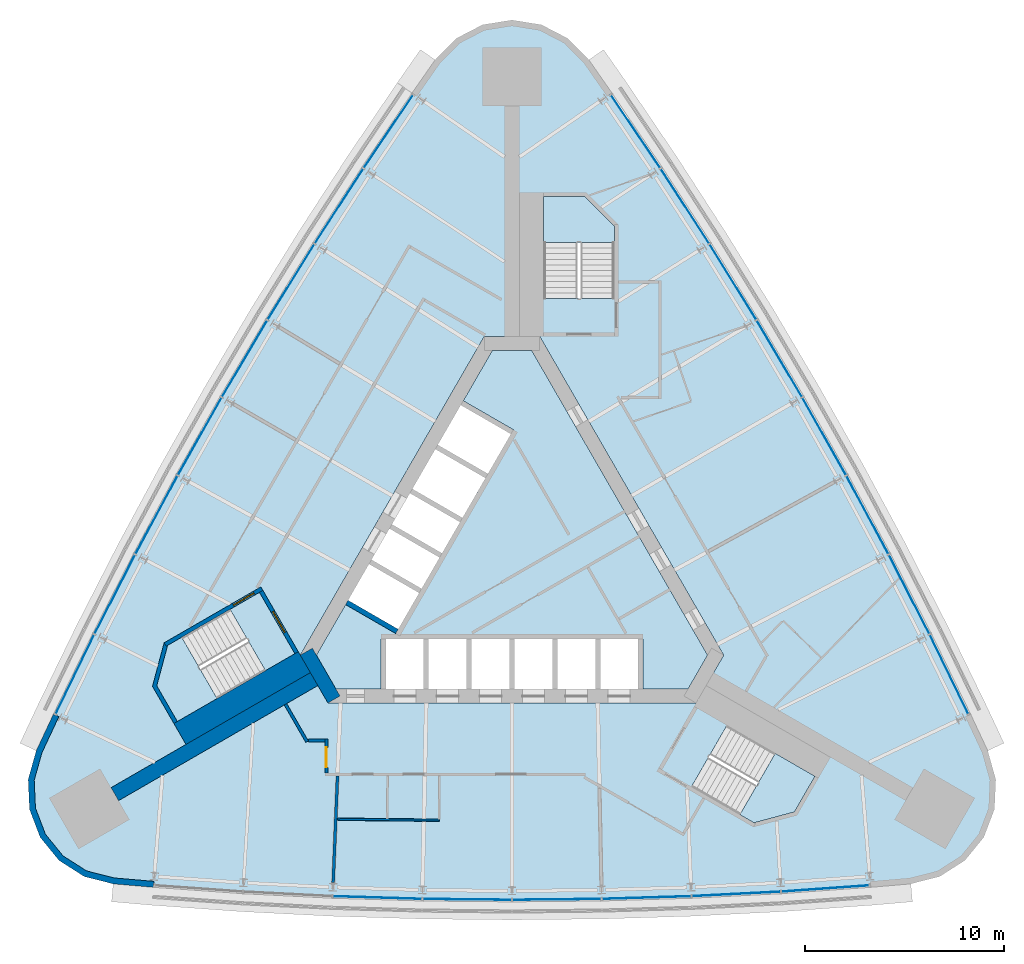
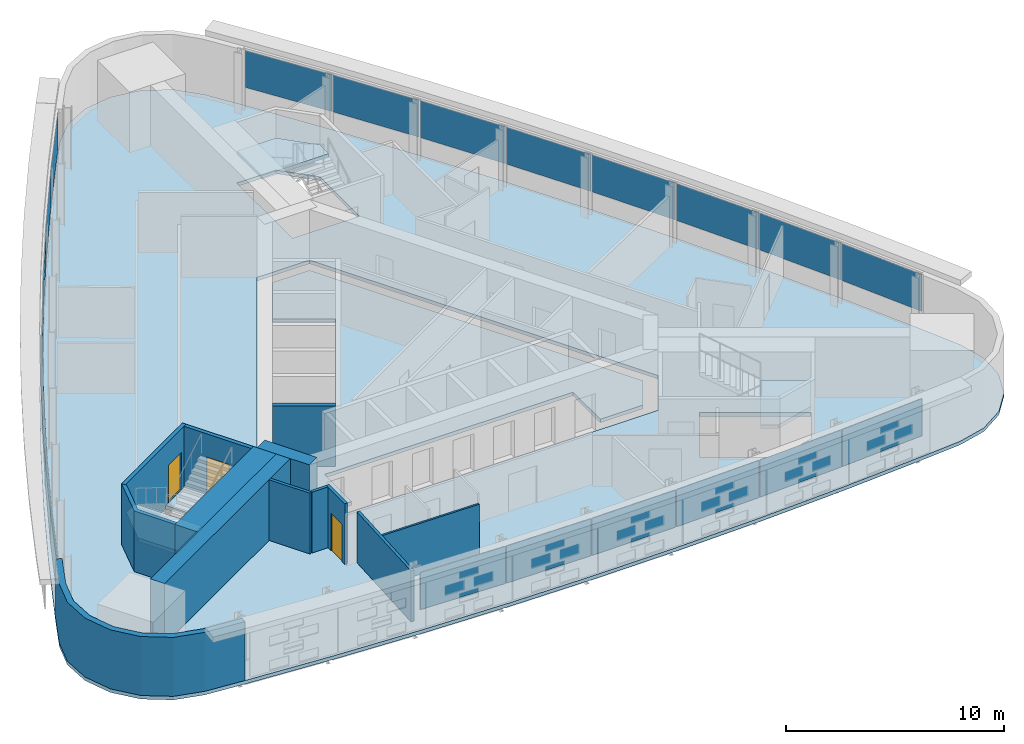
# One storey, part 6 of 11: 22 plates, 13 walls, 5 slabs, 3 doors, 3 openings, 6 elements without a shape of their own.
"""IFC4 building model written with IfcOpenShell, lengths in metres."""

from ifc_helpers import new_model, si_unit, direction, frame, frame_2d, origin, origin_2d, place, context, subcontext, project, spatial, polyline, rectangle, outline, extrude, material, layer, layer_set, type_object, element, fill, aggregate, save


model = new_model("IFC4")

# Units and contexts
model_context = context("Model", 3, precision=1e-05, world=origin(), true_north=direction((0.0, 1.0)))
body_context = subcontext(model_context, "Body", "Model", "MODEL_VIEW")
ifc_project = project(units=[si_unit("LENGTHUNIT", "METRE"), si_unit("AREAUNIT", "SQUARE_METRE"), si_unit("VOLUMEUNIT", "CUBIC_METRE"), si_unit("PLANEANGLEUNIT", "RADIAN"), si_unit("MASSUNIT", "GRAM", prefix="KILO")], contexts=[model_context])

# Site, building, storey
site_placement = place(None, origin())
site = spatial("IfcSite", under=ifc_project, at=site_placement, CompositionType="ELEMENT")
building_placement = place(site_placement, origin())
building = spatial("IfcBuilding", under=site, at=building_placement, Name="Noor Cloister Tower", CompositionType="ELEMENT")
storey_placement = place(building_placement, frame((0.0, 0.0, 120.300048828125)))
storey = spatial("IfcBuildingStorey", under=building, at=storey_placement, Name="L31", CompositionType="ELEMENT", Elevation=120.300048828125)

# Slabs
ifc_material_1 = material(Name="Concrete C40/50", Category="concrete")
ifc_layer_1 = layer(ifc_material_1, 0.199951171875)
ifc_layer_set_1 = layer_set([ifc_layer_1], Name="Core floor slab 200 C40/50")
slab_type_1 = type_object("IfcSlabType", Name="Core floor slab 200 C40/50", PredefinedType="FLOOR", material=ifc_layer_set_1)
slab_1_placement = place(storey_placement, frame((0.0, 0.0, -0.199951171875)))
element("IfcSlab", 1, at=slab_1_placement, inside=storey, type_object=slab_type_1, Name="Core floor L31", PredefinedType="FLOOR", context=body_context, shape_type="SweptSolid", body=[
    extrude(outline(polyline([(-6.574951171875, -6.228271484375), (-6.574951171875, -3.728271484375), (6.574951171875, -3.728271484375), (6.574951171875, -6.228271484375), (8.82470703125, -6.228271484375), (9.80615234375, -4.5283203125), (0.9814453125, 10.75634765625), (-0.9814453125, 10.75634765625), (-2.44384765625, 8.2236328125), (0.067626953125, 6.773681640625), (-5.832275390625, -3.4453125), (-8.34375, -1.995361328125), (-9.80615234375, -4.5283203125), (-8.82470703125, -6.228271484375), (-6.574951171875, -6.228271484375)])), origin(), (0.0, 0.0, 1.0), 0.199951171875),
])
ifc_material_2 = material(Name="Concrete C40/50", Category="concrete")
ifc_layer_2 = layer(ifc_material_2, 0.199951171875)
ifc_layer_set_2 = layer_set([ifc_layer_2], Name="Floor slab 200 C40/50")
slab_type_2 = type_object("IfcSlabType", Name="Floor slab 200 C40/50", PredefinedType="FLOOR", material=ifc_layer_set_2)
slab_2_placement = place(storey_placement, frame((0.0, 0.0, -0.199951171875)))
element("IfcSlab", 2, at=slab_2_placement, inside=storey, type_object=slab_type_2, Name="Floor slab L31", PredefinedType="FLOOR", context=body_context, shape_type="SweptSolid", body=[
    extrude(outline(polyline([(3.853271484375, 25.31689453125), (2.807373046875, 26.38818359375), (1.478271484375, 27.07763671875), (0.0, 27.3154296875), (-1.478271484375, 27.07763671875), (-2.807373046875, 26.38818359375), (-3.853271484375, 25.31689453125), (-5.0126953125, 23.65576171875), (-7.533447265625, 19.92822265625), (-9.978271484375, 16.150390625), (-12.345703125, 12.323486328125), (-14.635009765625, 8.449462890625), (-16.845458984375, 4.52978515625), (-18.9755859375, 0.566162109375), (-21.025146484375, -3.43994140625), (-22.992919921875, -7.48681640625), (-23.851806640625, -9.321533203125), (-24.256591796875, -10.762939453125), (-24.18896484375, -12.258544921875), (-23.65576171875, -13.65771484375), (-22.710693359375, -14.81884765625), (-21.44921875, -15.625244140625), (-19.99853515625, -15.995361328125), (-17.980224609375, -16.1689453125), (-13.49169921875, -16.48828125), (-8.99755859375, -16.716552734375), (-4.499755859375, -16.853515625), (0.0, -16.899169921875), (4.499755859375, -16.853515625), (8.99755859375, -16.716552734375), (13.49169921875, -16.48828125), (17.980224609375, -16.1689453125), (19.99853515625, -15.995361328125), (21.44921875, -15.625244140625), (22.710693359375, -14.81884765625), (23.65576171875, -13.65771484375), (24.18896484375, -12.258544921875), (24.256591796875, -10.762939453125), (23.851806640625, -9.321533203125), (22.992919921875, -7.48681640625), (21.025146484375, -3.43994140625), (18.9755859375, 0.566162109375), (16.845458984375, 4.52978515625), (14.635009765625, 8.449462890625), (12.345703125, 12.323486328125), (9.978271484375, 16.150390625), (7.533447265625, 19.92822265625), (5.0126953125, 23.65576171875), (3.853271484375, 25.31689453125)]), holes=[polyline([(8.999755859375, -11.126220703125), (12.131591796875, -12.934326171875), (14.1572265625, -12.3916015625), (15.19091796875, -10.601318359375), (10.774658203125, -8.0517578125), (8.999755859375, -11.126220703125)]), polyline([(-17.81005859375, -6.064697265625), (-16.776611328125, -7.85498046875), (-12.3603515625, -5.305419921875), (-14.13525390625, -2.23095703125), (-16.662841796875, -3.690185546875), (-17.267333984375, -4.039306640625), (-17.81005859375, -6.064697265625)]), polyline([(-10.6142578125, -4.5283203125), (-9.228759765625, -6.92822265625), (9.228759765625, -6.92822265625), (10.6142578125, -4.5283203125), (1.3857421875, 11.456298828125), (-1.3857421875, 11.456298828125), (-10.6142578125, -4.5283203125)]), polyline([(3.65283203125, 18.456298828125), (1.585693359375, 18.456298828125), (1.585693359375, 13.35693359375), (5.135498046875, 13.35693359375), (5.135498046875, 16.9736328125), (3.65283203125, 18.456298828125)])]), origin(), (0.0, 0.0, 1.0), 0.199951171875),
])

# Curtain wall, plates
ifc_material_3 = material(Name="Aluminium 6063-T6 anodised", Category="aluminium")
curtain_wall_type = type_object("IfcCurtainWallType", Name="Ribbon curtain wall, lower tower CW1", PredefinedType="NOTDEFINED", material=ifc_material_3)
curtain_wall_1_placement = place(storey_placement, origin())
curtain_wall_1 = element("IfcCurtainWall", 3, at=curtain_wall_1_placement, inside=storey, type_object=curtain_wall_type, Name="CW1 L31 NW run 1", PredefinedType="NOTDEFINED")
ifc_material_4 = material(Name="Clear laminated glass 2 x 8 mm", Category="glass")
ifc_layer_3 = layer(ifc_material_4, 0.028076171875)
ifc_layer_set_3 = layer_set([ifc_layer_3], Name="Glass panel CW1")
plate_type = type_object("IfcPlateType", Name="Glass panel CW1", PredefinedType="CURTAIN_PANEL", material=ifc_layer_set_3)
plate_1_placement = place(storey_placement, frame((-6.201171875, 21.719970703125, 1.08984375), z_axis=(0.0, 0.0, 1.0), x_axis=(-0.560202787374, -0.828355501592, 0.0)))
plate_1 = element("IfcPlate", 4, at=plate_1_placement, type_object=plate_type, Name="CW1 glass panel 1", PredefinedType="CURTAIN_PANEL", context=body_context, shape_type="SweptSolid", body=[
    extrude(rectangle(XDim=4.39892578125, YDim=0.028076171875, at=origin_2d()), origin(), (0.0, 0.0, 1.0), 2.070068359375),
])
plate_2_placement = place(storey_placement, frame((-8.671875, 17.985107421875, 1.08984375), z_axis=(0.0, 0.0, 1.0), x_axis=(-0.543277273915, -0.839553335797, 0.0)))
plate_2 = element("IfcPlate", 5, at=plate_2_placement, type_object=plate_type, Name="CW1 glass panel 2", PredefinedType="CURTAIN_PANEL", context=body_context, shape_type="SweptSolid", body=[
    extrude(rectangle(XDim=4.43798828125, YDim=0.028076171875, at=origin_2d()), origin(), (0.0, 0.0, 1.0), 2.070068359375),
])
plate_3_placement = place(storey_placement, frame((-11.076904296875, 14.184326171875, 1.08984375), z_axis=(0.0, 0.0, 1.0), x_axis=(-0.526127988992, -0.850405396972, 0.0)))
plate_3 = element("IfcPlate", 6, at=plate_3_placement, type_object=plate_type, Name="CW1 glass panel 3", PredefinedType="CURTAIN_PANEL", context=body_context, shape_type="SweptSolid", body=[
    extrude(rectangle(XDim=4.43798828125, YDim=0.028076171875, at=origin_2d()), origin(), (0.0, 0.0, 1.0), 2.070068359375),
])
plate_4_placement = place(storey_placement, frame((-13.404296875, 10.335693359375, 1.08984375), z_axis=(0.0, 0.0, 1.0), x_axis=(-0.508762010257, -0.860907205754, 0.0)))
plate_4 = element("IfcPlate", 7, at=plate_4_placement, type_object=plate_type, Name="CW1 glass panel 4", PredefinedType="CURTAIN_PANEL", context=body_context, shape_type="SweptSolid", body=[
    extrude(rectangle(XDim=4.43798828125, YDim=0.028076171875, at=origin_2d()), origin(), (0.0, 0.0, 1.0), 2.070068359375),
])
plate_5_placement = place(storey_placement, frame((-15.653076171875, 6.440673828125, 1.08984375), z_axis=(0.0, 0.0, 1.0), x_axis=(-0.491186505355, -0.87105442824, 0.0)))
plate_5 = element("IfcPlate", 8, at=plate_5_placement, type_object=plate_type, Name="CW1 glass panel 5", PredefinedType="CURTAIN_PANEL", context=body_context, shape_type="SweptSolid", body=[
    extrude(rectangle(XDim=4.43798828125, YDim=0.028076171875, at=origin_2d()), origin(), (0.0, 0.0, 1.0), 2.070068359375),
])
plate_6_placement = place(storey_placement, frame((-17.822509765625, 2.500732421875, 1.08984375), z_axis=(0.0, 0.0, 1.0), x_axis=(-0.473408682797, -0.880842902595, 0.0)))
plate_6 = element("IfcPlate", 9, at=plate_6_placement, type_object=plate_type, Name="CW1 glass panel 6", PredefinedType="CURTAIN_PANEL", context=body_context, shape_type="SweptSolid", body=[
    extrude(rectangle(XDim=4.43798828125, YDim=0.028076171875, at=origin_2d()), origin(), (0.0, 0.0, 1.0), 2.070068359375),
])
plate_7_placement = place(storey_placement, frame((-19.911376953125, -1.482421875, 1.08984375), z_axis=(0.0, 0.0, 1.0), x_axis=(-0.455435879675, -0.890268588407, 0.0)))
plate_7 = element("IfcPlate", 10, at=plate_7_placement, type_object=plate_type, Name="CW1 glass panel 7", PredefinedType="CURTAIN_PANEL", context=body_context, shape_type="SweptSolid", body=[
    extrude(rectangle(XDim=4.43798828125, YDim=0.028076171875, at=origin_2d()), origin(), (0.0, 0.0, 1.0), 2.070068359375),
])
plate_8_placement = place(storey_placement, frame((-21.91064453125, -5.489501953125, 1.08984375), z_axis=(0.0, 0.0, 1.0), x_axis=(-0.437275514056, -0.899327595933, 0.0)))
plate_8 = element("IfcPlate", 11, at=plate_8_placement, type_object=plate_type, Name="CW1 glass panel 8", PredefinedType="CURTAIN_PANEL", context=body_context, shape_type="SweptSolid", body=[
    extrude(rectangle(XDim=4.39892578125, YDim=0.028076171875, at=origin_2d()), origin(), (0.0, 0.0, 1.0), 2.070068359375),
])
aggregate(curtain_wall_1, [plate_1, plate_2, plate_3, plate_4, plate_5, plate_6, plate_7, plate_8])

curtain_wall_2_placement = place(storey_placement, origin())
curtain_wall_2 = element("IfcCurtainWall", 12, at=curtain_wall_2_placement, inside=storey, type_object=curtain_wall_type, Name="CW1 L31 S run 2", PredefinedType="NOTDEFINED")
plate_9_placement = place(storey_placement, frame((-6.74560546875, -16.68505859375, 1.08984375), z_axis=(0.0, 0.0, 1.0), x_axis=(0.999536671789, -0.030437505623, 0.0)))
plate_9 = element("IfcPlate", 13, at=plate_9_placement, type_object=plate_type, Name="CW1 glass panel 3", PredefinedType="CURTAIN_PANEL", context=body_context, shape_type="SweptSolid", body=[
    extrude(rectangle(XDim=4.43798828125, YDim=0.028076171875, at=origin_2d()), origin(), (0.0, 0.0, 1.0), 2.070068359375),
])
plate_10_placement = place(storey_placement, frame((-2.248779296875, -16.7763671875, 1.08984375), z_axis=(0.0, 0.0, 1.0), x_axis=(0.999948515613, -0.010147222486, 0.0)))
plate_10 = element("IfcPlate", 14, at=plate_10_placement, type_object=plate_type, Name="CW1 glass panel 4", PredefinedType="CURTAIN_PANEL", context=body_context, shape_type="SweptSolid", body=[
    extrude(rectangle(XDim=4.43798828125, YDim=0.028076171875, at=origin_2d()), origin(), (0.0, 0.0, 1.0), 2.070068359375),
])
plate_11_placement = place(storey_placement, frame((2.248779296875, -16.7763671875, 1.08984375), z_axis=(0.0, 0.0, 1.0), x_axis=(0.999948515613, 0.010147222486, 0.0)))
plate_11 = element("IfcPlate", 15, at=plate_11_placement, type_object=plate_type, Name="CW1 glass panel 5", PredefinedType="CURTAIN_PANEL", context=body_context, shape_type="SweptSolid", body=[
    extrude(rectangle(XDim=4.43798828125, YDim=0.028076171875, at=origin_2d()), origin(), (0.0, 0.0, 1.0), 2.070068359375),
])
plate_12_placement = place(storey_placement, frame((6.74560546875, -16.68505859375, 1.08984375), z_axis=(0.0, 0.0, 1.0), x_axis=(0.999536671789, 0.030437505623, 0.0)))
plate_12 = element("IfcPlate", 16, at=plate_12_placement, type_object=plate_type, Name="CW1 glass panel 6", PredefinedType="CURTAIN_PANEL", context=body_context, shape_type="SweptSolid", body=[
    extrude(rectangle(XDim=4.43798828125, YDim=0.028076171875, at=origin_2d()), origin(), (0.0, 0.0, 1.0), 2.070068359375),
])
plate_13_placement = place(storey_placement, frame((11.239501953125, -16.50244140625, 1.08984375), z_axis=(0.0, 0.0, 1.0), x_axis=(0.998713153589, 0.050715252611, 0.0)))
plate_13 = element("IfcPlate", 17, at=plate_13_placement, type_object=plate_type, Name="CW1 glass panel 7", PredefinedType="CURTAIN_PANEL", context=body_context, shape_type="SweptSolid", body=[
    extrude(rectangle(XDim=4.43798828125, YDim=0.028076171875, at=origin_2d()), origin(), (0.0, 0.0, 1.0), 2.070068359375),
])
plate_14_placement = place(storey_placement, frame((15.70947265625, -16.230224609375, 1.08984375), z_axis=(0.0, 0.0, 1.0), x_axis=(0.997478301431, 0.070972094341, 0.0)))
plate_14 = element("IfcPlate", 18, at=plate_14_placement, type_object=plate_type, Name="CW1 glass panel 8", PredefinedType="CURTAIN_PANEL", context=body_context, shape_type="SweptSolid", body=[
    extrude(rectangle(XDim=4.39892578125, YDim=0.028076171875, at=origin_2d()), origin(), (0.0, 0.0, 1.0), 2.070068359375),
])
aggregate(curtain_wall_2, [plate_9, plate_10, plate_11, plate_12, plate_13, plate_14])

curtain_wall_3_placement = place(storey_placement, origin())
curtain_wall_3 = element("IfcCurtainWall", 19, at=curtain_wall_3_placement, inside=storey, type_object=curtain_wall_type, Name="CW1 L31 NE run 3", PredefinedType="NOTDEFINED")
plate_15_placement = place(storey_placement, frame((21.91064453125, -5.489501953125, 1.08984375), z_axis=(0.0, 0.0, 1.0), x_axis=(-0.437275514056, 0.899327595933, 0.0)))
plate_15 = element("IfcPlate", 20, at=plate_15_placement, type_object=plate_type, Name="CW1 glass panel 1", PredefinedType="CURTAIN_PANEL", context=body_context, shape_type="SweptSolid", body=[
    extrude(rectangle(XDim=4.39892578125, YDim=0.028076171875, at=origin_2d()), origin(), (0.0, 0.0, 1.0), 2.070068359375),
])
plate_16_placement = place(storey_placement, frame((19.911376953125, -1.482421875, 1.08984375), z_axis=(0.0, 0.0, 1.0), x_axis=(-0.455435879675, 0.890268588407, 0.0)))
plate_16 = element("IfcPlate", 21, at=plate_16_placement, type_object=plate_type, Name="CW1 glass panel 2", PredefinedType="CURTAIN_PANEL", context=body_context, shape_type="SweptSolid", body=[
    extrude(rectangle(XDim=4.43798828125, YDim=0.028076171875, at=origin_2d()), origin(), (0.0, 0.0, 1.0), 2.070068359375),
])
plate_17_placement = place(storey_placement, frame((17.822509765625, 2.500732421875, 1.08984375), z_axis=(0.0, 0.0, 1.0), x_axis=(-0.473408682797, 0.880842902595, 0.0)))
plate_17 = element("IfcPlate", 22, at=plate_17_placement, type_object=plate_type, Name="CW1 glass panel 3", PredefinedType="CURTAIN_PANEL", context=body_context, shape_type="SweptSolid", body=[
    extrude(rectangle(XDim=4.43798828125, YDim=0.028076171875, at=origin_2d()), origin(), (0.0, 0.0, 1.0), 2.070068359375),
])
plate_18_placement = place(storey_placement, frame((15.653076171875, 6.440673828125, 1.08984375), z_axis=(0.0, 0.0, 1.0), x_axis=(-0.491186505355, 0.87105442824, 0.0)))
plate_18 = element("IfcPlate", 23, at=plate_18_placement, type_object=plate_type, Name="CW1 glass panel 4", PredefinedType="CURTAIN_PANEL", context=body_context, shape_type="SweptSolid", body=[
    extrude(rectangle(XDim=4.43798828125, YDim=0.028076171875, at=origin_2d()), origin(), (0.0, 0.0, 1.0), 2.070068359375),
])
plate_19_placement = place(storey_placement, frame((13.404296875, 10.335693359375, 1.08984375), z_axis=(0.0, 0.0, 1.0), x_axis=(-0.508762010257, 0.860907205754, 0.0)))
plate_19 = element("IfcPlate", 24, at=plate_19_placement, type_object=plate_type, Name="CW1 glass panel 5", PredefinedType="CURTAIN_PANEL", context=body_context, shape_type="SweptSolid", body=[
    extrude(rectangle(XDim=4.43798828125, YDim=0.028076171875, at=origin_2d()), origin(), (0.0, 0.0, 1.0), 2.070068359375),
])
plate_20_placement = place(storey_placement, frame((11.076904296875, 14.184326171875, 1.08984375), z_axis=(0.0, 0.0, 1.0), x_axis=(-0.526127988992, 0.850405396972, 0.0)))
plate_20 = element("IfcPlate", 25, at=plate_20_placement, type_object=plate_type, Name="CW1 glass panel 6", PredefinedType="CURTAIN_PANEL", context=body_context, shape_type="SweptSolid", body=[
    extrude(rectangle(XDim=4.43798828125, YDim=0.028076171875, at=origin_2d()), origin(), (0.0, 0.0, 1.0), 2.070068359375),
])
plate_21_placement = place(storey_placement, frame((8.671875, 17.985107421875, 1.08984375), z_axis=(0.0, 0.0, 1.0), x_axis=(-0.543277273915, 0.839553335797, 0.0)))
plate_21 = element("IfcPlate", 26, at=plate_21_placement, type_object=plate_type, Name="CW1 glass panel 7", PredefinedType="CURTAIN_PANEL", context=body_context, shape_type="SweptSolid", body=[
    extrude(rectangle(XDim=4.43798828125, YDim=0.028076171875, at=origin_2d()), origin(), (0.0, 0.0, 1.0), 2.070068359375),
])
plate_22_placement = place(storey_placement, frame((6.201171875, 21.719970703125, 1.08984375), z_axis=(0.0, 0.0, 1.0), x_axis=(-0.560202787374, 0.828355501592, 0.0)))
plate_22 = element("IfcPlate", 27, at=plate_22_placement, type_object=plate_type, Name="CW1 glass panel 8", PredefinedType="CURTAIN_PANEL", context=body_context, shape_type="SweptSolid", body=[
    extrude(rectangle(XDim=4.39892578125, YDim=0.028076171875, at=origin_2d()), origin(), (0.0, 0.0, 1.0), 2.070068359375),
])
aggregate(curtain_wall_3, [plate_15, plate_16, plate_17, plate_18, plate_19, plate_20, plate_21, plate_22])

# Stair, slab
ifc_material_5 = material(Name="Concrete C40/50", Category="concrete")
stair_type = type_object("IfcStairType", Name="Exit stair 22 risers", PredefinedType="HALF_TURN_STAIR", material=ifc_material_5)
stair_1_placement = place(storey_placement, origin())
stair_1 = element("IfcStair", 28, at=stair_1_placement, inside=storey, type_object=stair_type, Name="Exit stair ST1 L31", PredefinedType="HALF_TURN_STAIR")
ifc_material_6 = material(Name="Concrete C40/50", Category="concrete")
ifc_layer_4 = layer(ifc_material_6, 0.199951171875)
ifc_layer_set_4 = layer_set([ifc_layer_4], Name="Stair landing 200 C40/50")
slab_type_3 = type_object("IfcSlabType", Name="Stair landing 200 C40/50", PredefinedType="LANDING", material=ifc_layer_set_4)
slab_3_placement = place(storey_placement, frame((0.0, 0.0, 1.599853515625)))
slab_3 = element("IfcSlab", 29, at=slab_3_placement, type_object=slab_type_3, Name="ST1 landing 1", PredefinedType="LANDING", context=body_context, shape_type="SweptSolid", body=[
    extrude(outline(polyline([(5.135498046875, 16.15576171875), (5.135498046875, 16.9736328125), (3.65283203125, 18.456298828125), (1.585693359375, 18.456298828125), (1.585693359375, 16.15576171875), (5.135498046875, 16.15576171875)])), origin(), (0.0, 0.0, 1.0), 0.2001953125),
])
aggregate(stair_1, [slab_3])

stair_2_placement = place(storey_placement, origin())
stair_2 = element("IfcStair", 30, at=stair_2_placement, inside=storey, type_object=stair_type, Name="Exit stair ST2 L31", PredefinedType="HALF_TURN_STAIR")
slab_4_placement = place(storey_placement, frame((0.0, 0.0, 1.599853515625)))
slab_4 = element("IfcSlab", 31, at=slab_4_placement, type_object=slab_type_3, Name="ST2 landing 1", PredefinedType="LANDING", context=body_context, shape_type="SweptSolid", body=[
    extrude(outline(polyline([(-16.55908203125, -3.63037109375), (-17.267333984375, -4.039306640625), (-17.81005859375, -6.064697265625), (-16.776611328125, -7.85498046875), (-14.7841796875, -6.70458984375), (-16.55908203125, -3.63037109375)])), origin(), (0.0, 0.0, 1.0), 0.2001953125),
])
aggregate(stair_2, [slab_4])

stair_3_placement = place(storey_placement, origin())
stair_3 = element("IfcStair", 32, at=stair_3_placement, inside=storey, type_object=stair_type, Name="Exit stair ST3 L31", PredefinedType="HALF_TURN_STAIR")
slab_5_placement = place(storey_placement, frame((0.0, 0.0, 1.599853515625)))
slab_5 = element("IfcSlab", 33, at=slab_5_placement, type_object=slab_type_3, Name="ST3 landing 1", PredefinedType="LANDING", context=body_context, shape_type="SweptSolid", body=[
    extrude(outline(polyline([(11.423583984375, -12.525390625), (12.131591796875, -12.934326171875), (14.1572265625, -12.3916015625), (15.19091796875, -10.601318359375), (13.198486328125, -9.451171875), (11.423583984375, -12.525390625)])), origin(), (0.0, 0.0, 1.0), 0.2001953125),
])
aggregate(stair_3, [slab_5])

# Walls
ifc_material_7 = material(Name="Concrete C80/95", Category="concrete")
ifc_layer_5 = layer(ifc_material_7, 0.75)
ifc_layer_set_5 = layer_set([ifc_layer_5], Name="Buttress wall 750 C80/95")
wall_type_1 = type_object("IfcWallType", Name="Buttress wall 750 C80/95", PredefinedType="SHEAR", material=ifc_layer_set_5)
wall_1_placement = place(storey_placement, frame((-9.921630859375, -5.728271484375, -0.199951171875), z_axis=(0.0, 0.0, 1.0), x_axis=(-0.866024913782, -0.500000848707, 0.0)))
element("IfcWall", 34, at=wall_1_placement, inside=storey, type_object=wall_type_1, Name="Buttress wall SW L31", PredefinedType="SHEAR", context=body_context, shape_type="SweptSolid", body=[
    extrude(rectangle(XDim=11.53857421875, YDim=0.75, at=frame_2d((5.769287109375, 0.0))), origin(), (0.0, 0.0, 1.0), 3.599853515625),
])
ifc_material_8 = material(Name="Concrete C80/95", Category="concrete")
ifc_layer_6 = layer(ifc_material_8, 0.699951171875)
ifc_layer_set_6 = layer_set([ifc_layer_6], Name="Core wall 700 C80/95")
wall_type_2 = type_object("IfcWallType", Name="Core wall 700 C80/95", PredefinedType="SHEAR", material=ifc_layer_set_6)
wall_2_placement = place(storey_placement, frame((-10.311279296875, -4.353271484375, -0.199951171875), z_axis=(0.0, 0.0, 1.0), x_axis=(0.500042739161, -0.866000726912, 0.0)))
element("IfcWall", 35, at=wall_2_placement, inside=storey, type_object=wall_type_2, Name="Core wall L31 6", PredefinedType="SHEAR", context=body_context, shape_type="SweptSolid", body=[
    extrude(rectangle(XDim=2.771240234375, YDim=0.699951171875, at=frame_2d((1.3857421875, 0.0))), origin(), (0.0, 0.0, 1.0), 3.599853515625),
])
ifc_material_9 = material(Name="Gypsum board partition on steel studs, 150 mm", Category="steel")
ifc_layer_7 = layer(ifc_material_9, 0.14990234375)
ifc_layer_set_7 = layer_set([ifc_layer_7], Name="Flat wall 150")
wall_type_3 = type_object("IfcWallType", Name="Flat wall 150", PredefinedType="PARTITIONING", material=ifc_layer_set_7)
wall_3_placement = place(storey_placement, frame((-11.35791015625, -6.990478515625, 0.0), z_axis=(0.0, 0.0, 1.0), x_axis=(0.500050590816, -0.865996193193, 0.0)))
element("IfcWall", 36, at=wall_3_placement, inside=storey, type_object=wall_type_3, Name="Flat wall 150 L31 009", PredefinedType="PARTITIONING", context=body_context, shape_type="SweptSolid", body=[
    extrude(rectangle(XDim=2.168212890625, YDim=0.14990234375, at=frame_2d((1.083984375, 0.0))), origin(), (0.0, 0.0, 1.0), 3.39990234375),
])

# Wall, opening, door
wall_4_placement = place(storey_placement, frame((-9.3037109375, -10.42822265625, 0.0), z_axis=(0.0, 0.0, 1.0), x_axis=(0.0, 1.0, 0.0)))
wall_4 = element("IfcWall", 37, at=wall_4_placement, inside=storey, type_object=wall_type_3, Name="Flat wall 150 L31 014", PredefinedType="PARTITIONING", context=body_context, shape_type="SweptSolid", body=[
    extrude(rectangle(XDim=1.699951171875, YDim=0.14990234375, at=frame_2d((0.85009765625, 0.0))), origin(), (0.0, 0.0, 1.0), 3.39990234375),
])
opening_1_placement = place(wall_4_placement, frame((0.27490234375, 0.0, 0.0)))
opening_1 = element("IfcOpeningElement", 38, at=opening_1_placement, cuts=wall_4, Name="Opening L31-011", PredefinedType="OPENING", context=body_context, shape_type="SweptSolid", body=[
    extrude(rectangle(XDim=1.0, YDim=2.10009765625, at=frame_2d((0.5, 1.050048828125))), frame((0.0, 0.0849609375, 0.0), z_axis=(0.0, -1.0, 0.0), x_axis=(1.0, 0.0, 0.0)), (0.0, 0.0, 1.0), 0.169921875),
])
ifc_material_10 = material(Name="Timber door leaf with steel frame", Category="steel")
door_type_1 = type_object("IfcDoorType", Name="Interior door 1000 FD60", OperationType="NOTDEFINED", PredefinedType="DOOR", material=ifc_material_10)
door_1_placement = place(opening_1_placement, origin())
door_1 = element("IfcDoor", 39, at=door_1_placement, inside=storey, type_object=door_type_1, Name="Interior door 1000 L31-011", OperationType="SINGLE_SWING_LEFT", OverallHeight=2.10009765625, OverallWidth=1.0, PredefinedType="DOOR", context=body_context, shape_type="SweptSolid", body=[
    extrude(rectangle(XDim=1.0, YDim=2.10009765625, at=frame_2d((0.5, 1.050048828125))), frame((0.0, 0.02490234375, 0.0), z_axis=(0.0, -1.0, 0.0), x_axis=(1.0, 0.0, 0.0)), (0.0, 0.0, 1.0), 0.050048828125),
])
fill(opening_1, door_1)

# Walls
wall_5_placement = place(storey_placement, frame((-10.208740234375, -8.80322265625, 0.0), z_axis=(0.0, 0.0, 1.0), x_axis=(1.0, 0.0, 0.0)))
element("IfcWall", 40, at=wall_5_placement, inside=storey, type_object=wall_type_3, Name="Flat wall 150 L31 015", PredefinedType="PARTITIONING", context=body_context, shape_type="SweptSolid", body=[
    extrude(rectangle(XDim=0.830078125, YDim=0.14990234375, at=frame_2d((0.4150390625, 0.0))), origin(), (0.0, 0.0, 1.0), 3.39990234375),
])
wall_6_placement = place(storey_placement, frame((-8.965087890625, -15.9169921875, 0.0), z_axis=(0.0, 0.0, 1.0), x_axis=(0.040597936434, 0.999175563931, 0.0)))
element("IfcWall", 41, at=wall_6_placement, inside=storey, type_object=wall_type_3, Name="Flat wall 150 L31 017", PredefinedType="PARTITIONING", context=body_context, shape_type="SweptSolid", body=[
    extrude(rectangle(XDim=5.340087890625, YDim=0.14990234375, at=frame_2d((2.669921875, 0.0))), origin(), (0.0, 0.0, 1.0), 2.846923828125),
])
ifc_material_11 = material(Name="Limestone", Category="masonry")
ifc_layer_8 = layer(ifc_material_11, 0.300048828125)
ifc_layer_set_8 = layer_set([ifc_layer_8], Name="Limestone cladding 300")
wall_type_4 = type_object("IfcWallType", Name="Limestone cladding 300", PredefinedType="NOTDEFINED", material=ifc_layer_set_8)
wall_7_placement = place(storey_placement, origin())
element("IfcWall", 42, at=wall_7_placement, inside=storey, type_object=wall_type_4, Name="Limestone pier cladding L31 1.1", PredefinedType="NOTDEFINED", context=body_context, shape_type="SweptSolid", body=[
    extrude(outline(polyline([(-22.992919921875, -7.48681640625), (-23.851806640625, -9.321533203125), (-24.256591796875, -10.762939453125), (-24.18896484375, -12.258544921875), (-23.65576171875, -13.65771484375), (-22.710693359375, -14.81884765625), (-21.44921875, -15.625244140625), (-19.99853515625, -15.995361328125), (-17.980224609375, -16.1689453125), (-17.95458984375, -15.8701171875), (-19.9482421875, -15.69873046875), (-21.328369140625, -15.3466796875), (-22.508544921875, -14.59228515625), (-23.392578125, -13.505859375), (-23.891357421875, -12.19677734375), (-23.95458984375, -10.797607421875), (-23.569580078125, -9.42626953125), (-22.72119140625, -7.614013671875), (-22.992919921875, -7.48681640625)])), origin(), (0.0, 0.0, 1.0), 3.300048828125),
])
ifc_material_12 = material(Name="Gypsum board partition on steel studs, 100 mm", Category="steel")
ifc_layer_9 = layer(ifc_material_12, 0.10009765625)
ifc_layer_set_9 = layer_set([ifc_layer_9], Name="Partition 100")
wall_type_5 = type_object("IfcWallType", Name="Partition 100", PredefinedType="PARTITIONING", material=ifc_layer_set_9)
wall_8_placement = place(storey_placement, frame((-8.760009765625, -12.754150390625, 0.0), z_axis=(0.0, 0.0, 1.0), x_axis=(0.999948543491, -0.010144474863, 0.0)))
element("IfcWall", 43, at=wall_8_placement, inside=storey, type_object=wall_type_5, Name="Partition 100 L31 022", PredefinedType="PARTITIONING", context=body_context, shape_type="SweptSolid", body=[
    extrude(rectangle(XDim=5.10205078125, YDim=0.10009765625, at=frame_2d((2.551025390625, 0.0))), origin(), (0.0, 0.0, 1.0), 2.846923828125),
])
ifc_material_13 = material(Name="Concrete C80/95", Category="concrete")
ifc_layer_10 = layer(ifc_material_13, 0.25)
ifc_layer_set_10 = layer_set([ifc_layer_10], Name="Shaft wall 250 C80/95")
wall_type_6 = type_object("IfcWallType", Name="Shaft wall 250 C80/95", PredefinedType="PARTITIONING", material=ifc_layer_set_10)
wall_9_placement = place(storey_placement, frame((-8.28125, -1.88720703125, -0.199951171875), z_axis=(0.0, 0.0, 1.0), x_axis=(0.866032775405, -0.499987231761, 0.0)))
element("IfcWall", 44, at=wall_9_placement, inside=storey, type_object=wall_type_6, Name="Lift shaft wall L31 NW 6", PredefinedType="PARTITIONING", context=body_context, shape_type="SweptSolid", body=[
    extrude(rectangle(XDim=2.89990234375, YDim=0.25, at=frame_2d((1.449951171875, 0.0))), origin(), (0.0, 0.0, 1.0), 3.599853515625),
])
ifc_material_14 = material(Name="Concrete C80/95", Category="concrete")
ifc_layer_11 = layer(ifc_material_14, 1.2109375)
ifc_layer_set_11 = layer_set([ifc_layer_11], Name="Stair enclosure wall 1211 C80/95")
wall_type_7 = type_object("IfcWallType", Name="Stair enclosure wall 1211 C80/95", PredefinedType="SHEAR", material=ifc_layer_set_11)
wall_10_placement = place(storey_placement, frame((-10.41162109375, -4.879150390625, -0.199951171875), z_axis=(0.0, 0.0, 1.0), x_axis=(-0.866026919366, -0.499997374926, 0.0)))
element("IfcWall", 45, at=wall_10_placement, inside=storey, type_object=wall_type_7, Name="Stair enclosure wall ST2 L31 riser side", PredefinedType="SHEAR", context=body_context, shape_type="SweptSolid", body=[
    extrude(rectangle(XDim=7.2001953125, YDim=1.210693359375, at=frame_2d((3.60009765625, 0.0))), origin(), (0.0, 0.0, 1.0), 3.599853515625),
])

# Wall, opening, door
ifc_material_15 = material(Name="Concrete C80/95", Category="concrete")
ifc_layer_12 = layer(ifc_material_15, 0.199951171875)
ifc_layer_set_12 = layer_set([ifc_layer_12], Name="Stair enclosure wall 200 C80/95")
wall_type_8 = type_object("IfcWallType", Name="Stair enclosure wall 200 C80/95", PredefinedType="SHEAR", material=ifc_layer_set_12)
wall_11_placement = place(storey_placement, frame((-12.575927734375, -1.33056640625, -0.199951171875), z_axis=(0.0, 0.0, 1.0), x_axis=(0.499970499736, -0.8660424351, 0.0)))
wall_11 = element("IfcWall", 46, at=wall_11_placement, inside=storey, type_object=wall_type_8, Name="Stair enclosure wall ST2 L31 near end", PredefinedType="SHEAR", context=body_context, shape_type="SweptSolid", body=[
    extrude(rectangle(XDim=3.550048828125, YDim=0.199951171875, at=frame_2d((1.77490234375, 0.0))), origin(), (0.0, 0.0, 1.0), 3.599853515625),
])
opening_2_placement = place(wall_11_placement, frame((1.175048828125, 0.0, 0.199951171875)))
opening_2 = element("IfcOpeningElement", 47, at=opening_2_placement, cuts=wall_11, Name="Opening L31-ST2L", PredefinedType="OPENING", context=body_context, shape_type="SweptSolid", body=[
    extrude(rectangle(XDim=1.199951171875, YDim=2.10009765625, at=frame_2d((0.60009765625, 1.050048828125))), frame((0.0, 0.10986328125, 0.0), z_axis=(0.0, -1.0, 0.0), x_axis=(1.0, 0.0, 0.0)), (0.0, 0.0, 1.0), 0.219970703125),
])
ifc_material_16 = material(Name="Steel", Category="steel")
door_type_2 = type_object("IfcDoorType", Name="Stair door 1200 x 2100 FD120", OperationType="SINGLE_SWING_LEFT", PredefinedType="DOOR", material=ifc_material_16)
door_2_placement = place(opening_2_placement, origin())
door_2 = element("IfcDoor", 48, at=door_2_placement, inside=storey, type_object=door_type_2, Name="Stair door ST2 L31", OperationType="SINGLE_SWING_RIGHT", OverallHeight=2.10009765625, OverallWidth=1.199951171875, PredefinedType="DOOR", context=body_context, shape_type="SweptSolid", body=[
    extrude(rectangle(XDim=1.199951171875, YDim=2.10009765625, at=frame_2d((0.60009765625, 1.050048828125))), frame((0.0, 0.02490234375, 0.0), z_axis=(0.0, -1.0, 0.0), x_axis=(1.0, 0.0, 0.0)), (0.0, 0.0, 1.0), 0.050048828125),
])
fill(opening_2, door_2)

wall_12_placement = place(storey_placement, frame((-12.539306640625, -1.194091796875, -0.199951171875), z_axis=(0.0, 0.0, 1.0), x_axis=(-0.866045472092, -0.499965239061, 0.0)))
wall_12 = element("IfcWall", 49, at=wall_12_placement, inside=storey, type_object=wall_type_8, Name="Stair enclosure wall ST2 L31 outer side", PredefinedType="SHEAR", context=body_context, shape_type="SweptSolid", body=[
    extrude(rectangle(XDim=5.60009765625, YDim=0.199951171875, at=frame_2d((2.800048828125, 0.0))), origin(), (0.0, 0.0, 1.0), 3.599853515625),
])
opening_3_placement = place(wall_12_placement, frame((0.449951171875, 0.0, 0.199951171875)))
opening_3 = element("IfcOpeningElement", 50, at=opening_3_placement, cuts=wall_12, Name="Opening L31-ST2C", PredefinedType="OPENING", context=body_context, shape_type="SweptSolid", body=[
    extrude(rectangle(XDim=1.199951171875, YDim=2.10009765625, at=frame_2d((0.60009765625, 1.050048828125))), frame((0.0, 0.10986328125, 0.0), z_axis=(0.0, -1.0, 0.0), x_axis=(1.0, 0.0, 0.0)), (0.0, 0.0, 1.0), 0.219970703125),
])
door_3_placement = place(opening_3_placement, origin())
door_3 = element("IfcDoor", 51, at=door_3_placement, inside=storey, type_object=door_type_2, Name="Stair door ST2 L31", OperationType="SINGLE_SWING_LEFT", OverallHeight=2.10009765625, OverallWidth=1.199951171875, PredefinedType="DOOR", context=body_context, shape_type="SweptSolid", body=[
    extrude(rectangle(XDim=1.199951171875, YDim=2.10009765625, at=frame_2d((0.60009765625, 1.050048828125))), frame((0.0, 0.02490234375, 0.0), z_axis=(0.0, -1.0, 0.0), x_axis=(1.0, 0.0, 0.0)), (0.0, 0.0, 1.0), 0.050048828125),
])
fill(opening_3, door_3)

# Wall
ifc_material_17 = material(Name="Concrete C80/95", Category="concrete")
wall_type_9 = type_object("IfcWallType", Name="Stair far end wall C80/95", PredefinedType="SHEAR", material=ifc_material_17)
wall_13_placement = place(storey_placement, frame((0.0, 0.0, -0.199951171875)))
element("IfcWall", 52, at=wall_13_placement, inside=storey, type_object=wall_type_9, Name="Stair enclosure wall ST2 L31 far end", PredefinedType="SHEAR", context=body_context, shape_type="SweptSolid", body=[
    extrude(outline(polyline([(-17.439208984375, -3.907470703125), (-18.024658203125, -6.093017578125), (-16.94970703125, -7.955078125), (-16.776611328125, -7.85498046875), (-17.81005859375, -6.064697265625), (-17.267333984375, -4.039306640625), (-17.339111328125, -4.08056640625), (-17.339111328125, -4.08056640625), (-17.339111328125, -4.08056640625), (-17.339111328125, -4.08056640625), (-17.339111328125, -4.08056640625), (-17.339111328125, -4.08056640625), (-17.339111328125, -4.08056640625), (-17.339111328125, -4.08056640625), (-17.339111328125, -4.08056640625), (-17.339111328125, -4.08056640625), (-17.339111328125, -4.08056640625), (-17.339111328125, -4.08056640625), (-17.339111328125, -4.08056640625), (-17.339111328125, -4.08056640625), (-17.339111328125, -4.08056640625), (-17.339111328125, -4.08056640625), (-17.339111328125, -4.08056640625), (-17.439208984375, -3.907470703125)])), origin(), (0.0, 0.0, 1.0), 3.599853515625),
])

save(model, "model.ifc")
